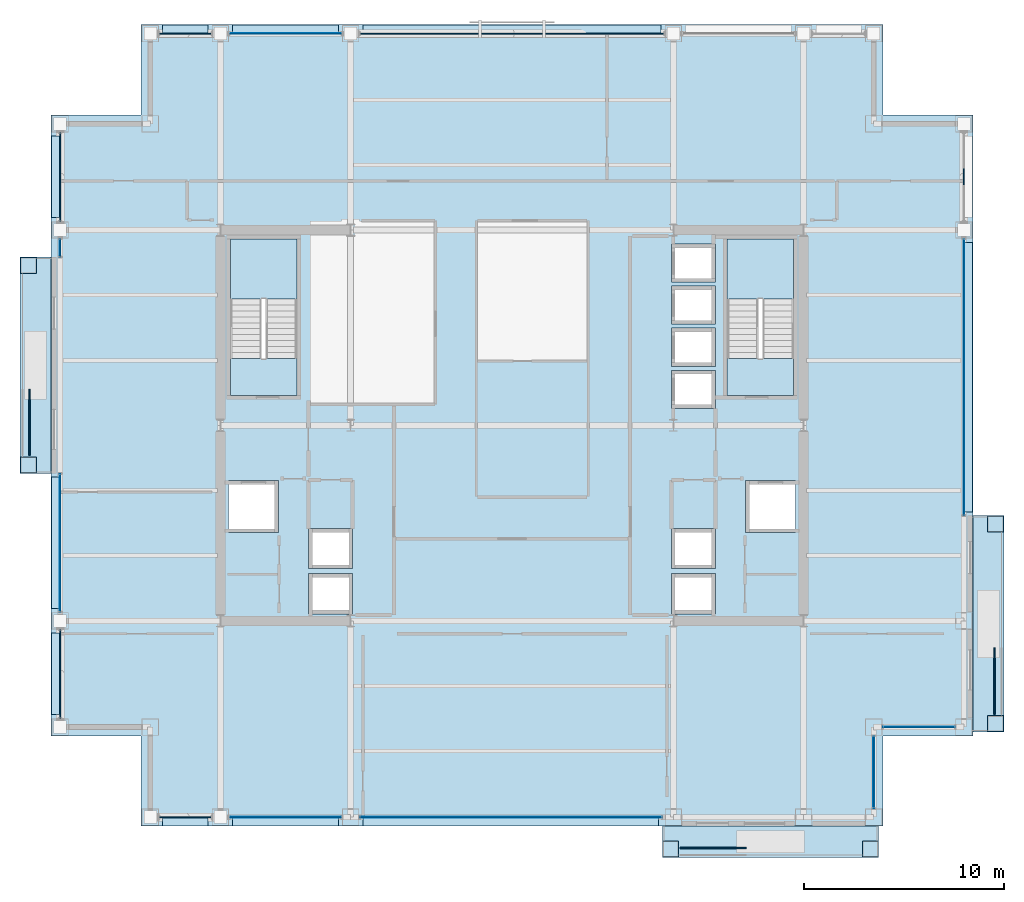
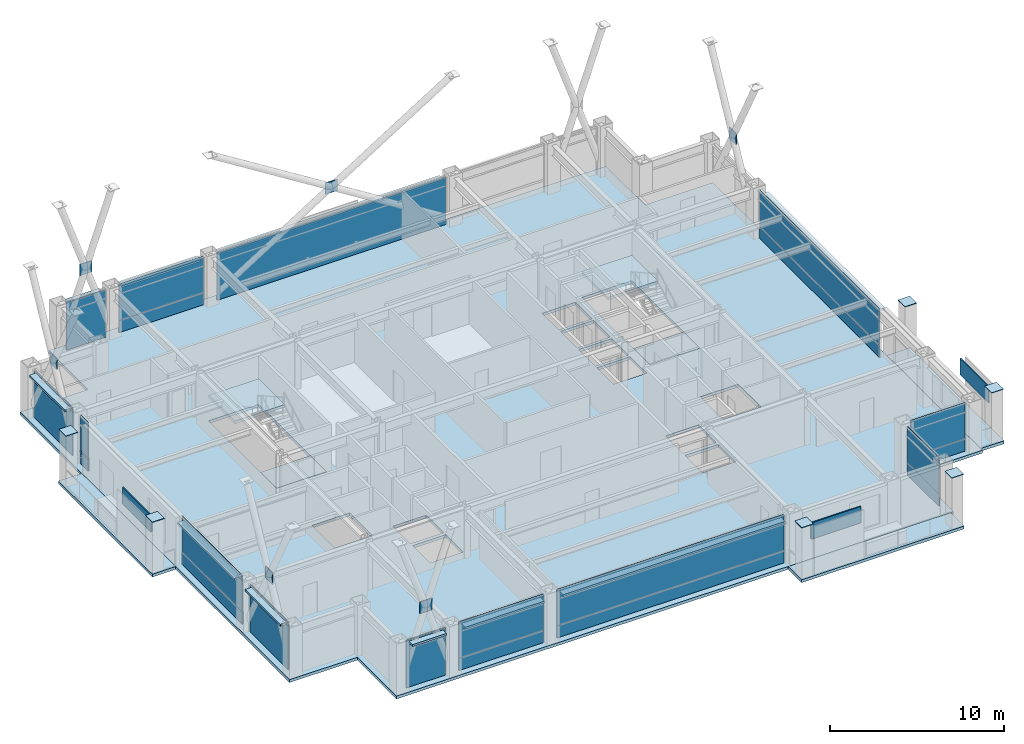
# One storey, part 27 of 34: 46 plates, 8 slabs, 1 member, 15 elements without a shape of their own.
"""IFC4 building model written with IfcOpenShell, lengths in metres."""

from ifc_helpers import new_model, si_unit, direction, frame, origin, origin_2d, place, context, subcontext, project, spatial, polyline, rectangle, hollow_rectangle, outline, extrude, material, layer, layer_set, material_profile, profile_set, type_object, element, aggregate, save


model = new_model("IFC4")

# Units and contexts
model_context = context("Model", 3, precision=1e-05, world=origin(), true_north=direction((0.0, 1.0)))
body_context = subcontext(model_context, "Body", "Model", "MODEL_VIEW")
ifc_project = project(units=[si_unit("LENGTHUNIT", "METRE"), si_unit("AREAUNIT", "SQUARE_METRE"), si_unit("VOLUMEUNIT", "CUBIC_METRE"), si_unit("PLANEANGLEUNIT", "RADIAN"), si_unit("MASSUNIT", "GRAM", prefix="KILO")], contexts=[model_context])

# Site, building, storey
site_placement = place(None, origin())
site = spatial("IfcSite", under=ifc_project, at=site_placement, CompositionType="ELEMENT")
building_placement = place(site_placement, origin())
building = spatial("IfcBuilding", under=site, at=building_placement, Name="Brelmoor Portico Tower", CompositionType="ELEMENT")
storey_placement = place(building_placement, frame((0.0, 0.0, 99.0)))
storey = spatial("IfcBuildingStorey", under=building, at=storey_placement, Name="L25", CompositionType="ELEMENT", Elevation=99.0)

# Curtain wall, member
ifc_material_1 = material(Name="Anodised Aluminium Alloy 6063-T6", Category="aluminium")
ifc_layer_1 = layer(ifc_material_1, 0.179931640625)
ifc_layer_set_1 = layer_set([ifc_layer_1], Name="Anodised Aluminium Alloy 6063-T6")
curtain_wall_type_1 = type_object("IfcCurtainWallType", Name="CW-TOWER-Z2", PredefinedType="NOTDEFINED", material=ifc_layer_set_1)
curtain_wall_1_placement = place(storey_placement, origin())
curtain_wall_1 = element("IfcCurtainWall", 1, at=curtain_wall_1_placement, inside=storey, type_object=curtain_wall_type_1, Name="L25 Curtain Wall CW-L25-3R-1", PredefinedType="NOTDEFINED")
ifc_material_profile = material_profile(ifc_material_1, hollow_rectangle(XDim=0.06494140625, YDim=0.139892578125, WallThickness=0.00390625, at=origin_2d()), Name="ALU TRANSOM 65x140")
ifc_profile_set = profile_set([ifc_material_profile], Name="Anodised Aluminium Alloy 6063-T6")
member_type = type_object("IfcMemberType", Name="MB-CW-TRAN-140", PredefinedType="USERDEFINED", material=ifc_profile_set)
member_placement = place(storey_placement, frame((-22.550048828125, 8.39990234375, 0.85009765625), z_axis=(0.0, 1.0, 0.0), x_axis=(-1.0, 0.0, 0.0)))
member = element("IfcMember", 2, at=member_placement, type_object=member_type, Name="CW-L25-3R-1 Transom 1-00", ObjectType="TRANSOM", PredefinedType="USERDEFINED", context=body_context, shape_type="SweptSolid", body=[
    extrude(hollow_rectangle(XDim=0.06494140625, YDim=0.139892578125, WallThickness=0.00390625, at=origin_2d()), origin(), (0.0, 0.0, 1.0), 0.9150390625),
])

# Plates
ifc_material_2 = material(Name="Steel Q355B", Category="steel")
ifc_layer_2 = layer(ifc_material_2, 0.044921875)
ifc_layer_set_2 = layer_set([ifc_layer_2], Name="Steel Q355B")
plate_type_1 = type_object("IfcPlateType", Name="PT-CAP-650", PredefinedType="SHEET", material=ifc_layer_set_2)
for number, where, z_axis, x_axis, name in (
    (3, (7.919921875, -21.1298828125, 3.60009765625), (0.0, 0.0, 1.0), (1.0, 0.0, 0.0), "L25 Proud Picture-Frame Pier PFJ-S1 Welded Head Cap Plate"),
    (4, (17.8798828125, -21.1298828125, 3.60009765625), (0.0, 0.0, 1.0), (1.0, 0.0, 0.0), "L25 Proud Picture-Frame Pier PFJ-S2 Welded Head Cap Plate"),
    (5, (24.1298828125, -14.8798828125, 3.60009765625), (0.0, 0.0, 1.0), (0.0, 1.0, 0.0), "L25 Proud Picture-Frame Pier PFJ-E1 Welded Head Cap Plate"),
    (6, (24.1298828125, -4.919921875, 3.60009765625), (0.0, 0.0, 1.0), (0.0, 1.0, 0.0), "L25 Proud Picture-Frame Pier PFJ-E2 Welded Head Cap Plate"),
    (7, (-24.1298828125, -1.97998046875, 3.60009765625), (0.0, 0.0, 1.0), (0.0, 1.0, 0.0), "L25 Proud Picture-Frame Pier PFJ-W1 Welded Head Cap Plate"),
    (8, (-24.1298828125, 7.97998046875, 3.60009765625), (0.0, 0.0, 1.0), (0.0, 1.0, 0.0), "L25 Proud Picture-Frame Pier PFJ-W2 Welded Head Cap Plate"),
):
    element("IfcPlate", number, at=place(storey_placement, frame(where, z_axis=z_axis, x_axis=x_axis)), inside=storey, type_object=plate_type_1, Name=name, PredefinedType="SHEET", context=body_context, shape_type="SweptSolid", body=[
        extrude(rectangle(XDim=0.7900390625, YDim=0.7900390625, at=origin_2d()), origin(), (0.0, 0.0, 1.0), 0.0400390625),
    ])

# Curtain wall, plate
curtain_wall_2_placement = place(storey_placement, origin())
curtain_wall_2 = element("IfcCurtainWall", 9, at=curtain_wall_2_placement, inside=storey, type_object=curtain_wall_type_1, Name="L25 Curtain Wall CW-L25-1L-2", PredefinedType="NOTDEFINED")
ifc_material_3 = material(Name="Double-Silver Low-E Insulated Glazing", Category="glass")
ifc_layer_3 = layer(ifc_material_3, 0.035888671875)
ifc_layer_set_3 = layer_set([ifc_layer_3], Name="Double-Silver Low-E Insulated Glazing")
plate_type_2 = type_object("IfcPlateType", Name="PT-CW-GLASS", PredefinedType="CURTAIN_PANEL", material=ifc_layer_set_3)
plate_1_placement = place(storey_placement, frame((-11.300048828125, -19.550048828125, 0.85009765625), z_axis=(0.0, 0.0, 1.0), x_axis=(1.0, 0.0, 0.0)))
plate_1 = element("IfcPlate", 10, at=plate_1_placement, type_object=plate_type_2, Name="CW-L25-1L-2 Vision Glass Panel 00", PredefinedType="CURTAIN_PANEL", context=body_context, shape_type="SweptSolid", body=[
    extrude(rectangle(XDim=5.60009765625, YDim=0.035888671875, at=origin_2d()), origin(), (0.0, 0.0, 1.0), 2.550048828125),
])

curtain_wall_3_placement = place(storey_placement, origin())
curtain_wall_3 = element("IfcCurtainWall", 11, at=curtain_wall_3_placement, inside=storey, type_object=curtain_wall_type_1, Name="L25 Curtain Wall CW-L25-1L-3", PredefinedType="NOTDEFINED")
plate_2_placement = place(storey_placement, frame((-0.0576171875, -19.550048828125, 0.85009765625), z_axis=(0.0, 0.0, 1.0), x_axis=(1.0, 0.0, 0.0)))
plate_2 = element("IfcPlate", 12, at=plate_2_placement, type_object=plate_type_2, Name="CW-L25-1L-3 Vision Glass Panel 00", PredefinedType="CURTAIN_PANEL", context=body_context, shape_type="SweptSolid", body=[
    extrude(rectangle(XDim=15.0849609375, YDim=0.035888671875, at=origin_2d()), origin(), (0.0, 0.0, 1.0), 2.550048828125),
])

curtain_wall_4_placement = place(storey_placement, origin())
curtain_wall_4 = element("IfcCurtainWall", 13, at=curtain_wall_4_placement, inside=storey, type_object=curtain_wall_type_1, Name="L25 Curtain Wall CW-L25-02-2", PredefinedType="NOTDEFINED")
plate_3_placement = place(storey_placement, frame((-11.300048828125, 19.550048828125, 0.85009765625), z_axis=(0.0, 0.0, 1.0), x_axis=(1.0, 0.0, 0.0)))
plate_3 = element("IfcPlate", 14, at=plate_3_placement, type_object=plate_type_2, Name="CW-L25-02-2 Vision Glass Panel 00", PredefinedType="CURTAIN_PANEL", context=body_context, shape_type="SweptSolid", body=[
    extrude(rectangle(XDim=5.60009765625, YDim=0.035888671875, at=origin_2d()), origin(), (0.0, 0.0, 1.0), 2.550048828125),
])

curtain_wall_5_placement = place(storey_placement, origin())
curtain_wall_5 = element("IfcCurtainWall", 15, at=curtain_wall_5_placement, inside=storey, type_object=curtain_wall_type_1, Name="L25 Curtain Wall CW-L25-3L-2", PredefinedType="NOTDEFINED")
plate_4_placement = place(storey_placement, frame((-22.550048828125, -5.857421875, 0.85009765625), z_axis=(0.0, 0.0, 1.0), x_axis=(0.0, 1.0, 0.0)))
plate_4 = element("IfcPlate", 16, at=plate_4_placement, type_object=plate_type_2, Name="CW-L25-3L-2 Vision Glass Panel 00", PredefinedType="CURTAIN_PANEL", context=body_context, shape_type="SweptSolid", body=[
    extrude(rectangle(XDim=6.885009765625, YDim=0.035888671875, at=origin_2d()), origin(), (0.0, 0.0, 1.0), 2.550048828125),
])

# Plate
plate_5_placement = place(storey_placement, frame((-22.550048828125, 8.857421875, 0.85009765625), z_axis=(0.0, 0.0, 1.0), x_axis=(0.0, 1.0, 0.0)))
plate_5 = element("IfcPlate", 17, at=plate_5_placement, type_object=plate_type_2, Name="CW-L25-3R-1 Vision Glass Panel 00", PredefinedType="CURTAIN_PANEL", context=body_context, shape_type="SweptSolid", body=[
    extrude(rectangle(XDim=0.885009765625, YDim=0.035888671875, at=origin_2d()), origin(), (0.0, 0.0, 1.0), 2.550048828125),
])

# Curtain wall, plate
curtain_wall_6_placement = place(storey_placement, origin())
curtain_wall_6 = element("IfcCurtainWall", 18, at=curtain_wall_6_placement, inside=storey, type_object=curtain_wall_type_1, Name="L25 Curtain Wall CW-L25-4R-1", PredefinedType="NOTDEFINED")
plate_6_placement = place(storey_placement, frame((22.550048828125, 2.407470703125, 0.85009765625), z_axis=(0.0, 0.0, 1.0), x_axis=(0.0, 1.0, 0.0)))
plate_6 = element("IfcPlate", 19, at=plate_6_placement, type_object=plate_type_2, Name="CW-L25-4R-1 Vision Glass Panel 00", PredefinedType="CURTAIN_PANEL", context=body_context, shape_type="SweptSolid", body=[
    extrude(rectangle(XDim=13.784912109375, YDim=0.035888671875, at=origin_2d()), origin(), (0.0, 0.0, 1.0), 2.550048828125),
])

ifc_layer_4 = layer(ifc_material_1, 0.179931640625)
ifc_layer_set_4 = layer_set([ifc_layer_4], Name="Anodised Aluminium Alloy 6063-T6")
curtain_wall_type_2 = type_object("IfcCurtainWallType", Name="CW-NOTCH-CHAMFER", PredefinedType="NOTDEFINED", material=ifc_layer_set_4)
curtain_wall_7_placement = place(storey_placement, origin())
curtain_wall_7 = element("IfcCurtainWall", 20, at=curtain_wall_7_placement, inside=storey, type_object=curtain_wall_type_2, Name="L25 Curtain Wall CWN-L25-SEH", PredefinedType="NOTDEFINED")
plate_7_placement = place(storey_placement, frame((20.300048828125, -15.050048828125, 0.85009765625), z_axis=(0.0, 0.0, 1.0), x_axis=(1.0, 0.0, 0.0)))
plate_7 = element("IfcPlate", 21, at=plate_7_placement, type_object=plate_type_2, Name="CWN-L25-SEH Vision Glass Panel 00", PredefinedType="CURTAIN_PANEL", context=body_context, shape_type="SweptSolid", body=[
    extrude(rectangle(XDim=3.60009765625, YDim=0.035888671875, at=origin_2d()), origin(), (0.0, 0.0, 1.0), 2.550048828125),
])

curtain_wall_8_placement = place(storey_placement, origin())
curtain_wall_8 = element("IfcCurtainWall", 22, at=curtain_wall_8_placement, inside=storey, type_object=curtain_wall_type_2, Name="L25 Curtain Wall CWN-L25-SEV", PredefinedType="NOTDEFINED")
plate_8_placement = place(storey_placement, frame((18.050048828125, -17.300048828125, 0.85009765625), z_axis=(0.0, 0.0, 1.0), x_axis=(0.0, 1.0, 0.0)))
plate_8 = element("IfcPlate", 23, at=plate_8_placement, type_object=plate_type_2, Name="CWN-L25-SEV Vision Glass Panel 00", PredefinedType="CURTAIN_PANEL", context=body_context, shape_type="SweptSolid", body=[
    extrude(rectangle(XDim=3.60009765625, YDim=0.035888671875, at=origin_2d()), origin(), (0.0, 0.0, 1.0), 2.550048828125),
])

ifc_layer_5 = layer(ifc_material_1, 0.179931640625)
ifc_layer_set_5 = layer_set([ifc_layer_5], Name="Anodised Aluminium Alloy 6063-T6")
curtain_wall_type_3 = type_object("IfcCurtainWallType", Name="CW-TOWER-Z2-XB", PredefinedType="NOTDEFINED", material=ifc_layer_set_5)
curtain_wall_9_placement = place(storey_placement, origin())
curtain_wall_9 = element("IfcCurtainWall", 24, at=curtain_wall_9_placement, inside=storey, type_object=curtain_wall_type_3, Name="L25 Curtain Wall CW-L25-1L-1", PredefinedType="NOTDEFINED")
ifc_material_4 = material(Name="Pale Champagne Anodised Aluminium Panel", Category="aluminium")
ifc_layer_6 = layer(ifc_material_4, 0.050048828125)
ifc_layer_set_6 = layer_set([ifc_layer_6], Name="Pale Champagne Anodised Aluminium Panel")
plate_type_3 = type_object("IfcPlateType", Name="PT-CW-SPANDREL", PredefinedType="SHEET", material=ifc_layer_set_6)
plate_9_placement = place(storey_placement, frame((-16.300048828125, -19.550048828125, 0.0), z_axis=(0.0, 0.0, 1.0), x_axis=(1.0, 0.0, 0.0)))
plate_9 = element("IfcPlate", 25, at=plate_9_placement, type_object=plate_type_3, Name="CW-L25-1L-1 Spandrel Panel 00", PredefinedType="SHEET", context=body_context, shape_type="SweptSolid", body=[
    extrude(rectangle(XDim=2.60009765625, YDim=0.050048828125, at=origin_2d()), origin(), (0.0, 0.0, 1.0), 3.330078125),
])
aggregate(curtain_wall_9, [plate_9])

# Plate
plate_10_placement = place(storey_placement, frame((-11.300048828125, -19.550048828125, 0.0), z_axis=(0.0, 0.0, 1.0), x_axis=(1.0, 0.0, 0.0)))
plate_10 = element("IfcPlate", 26, at=plate_10_placement, type_object=plate_type_3, Name="CW-L25-1L-2 Spandrel Panel 00", PredefinedType="SHEET", context=body_context, shape_type="SweptSolid", body=[
    extrude(rectangle(XDim=5.60009765625, YDim=0.050048828125, at=origin_2d()), origin(), (0.0, 0.0, 1.0), 0.85009765625),
])

aggregate(curtain_wall_2, [plate_10, plate_1])

plate_11_placement = place(storey_placement, frame((-0.0576171875, -19.550048828125, 0.0), z_axis=(0.0, 0.0, 1.0), x_axis=(1.0, 0.0, 0.0)))
plate_11 = element("IfcPlate", 27, at=plate_11_placement, type_object=plate_type_3, Name="CW-L25-1L-3 Spandrel Panel 00", PredefinedType="SHEET", context=body_context, shape_type="SweptSolid", body=[
    extrude(rectangle(XDim=15.0849609375, YDim=0.050048828125, at=origin_2d()), origin(), (0.0, 0.0, 1.0), 0.85009765625),
])

aggregate(curtain_wall_3, [plate_11, plate_2])

# Curtain wall, plate
curtain_wall_10_placement = place(storey_placement, origin())
curtain_wall_10 = element("IfcCurtainWall", 28, at=curtain_wall_10_placement, inside=storey, type_object=curtain_wall_type_3, Name="L25 Curtain Wall CW-L25-02-1", PredefinedType="NOTDEFINED")
plate_12_placement = place(storey_placement, frame((-16.300048828125, 19.550048828125, 0.0), z_axis=(0.0, 0.0, 1.0), x_axis=(1.0, 0.0, 0.0)))
plate_12 = element("IfcPlate", 29, at=plate_12_placement, type_object=plate_type_3, Name="CW-L25-02-1 Spandrel Panel 00", PredefinedType="SHEET", context=body_context, shape_type="SweptSolid", body=[
    extrude(rectangle(XDim=2.60009765625, YDim=0.050048828125, at=origin_2d()), origin(), (0.0, 0.0, 1.0), 3.330078125),
])
aggregate(curtain_wall_10, [plate_12])

# Plate
plate_13_placement = place(storey_placement, frame((-11.300048828125, 19.550048828125, 0.0), z_axis=(0.0, 0.0, 1.0), x_axis=(1.0, 0.0, 0.0)))
plate_13 = element("IfcPlate", 30, at=plate_13_placement, type_object=plate_type_3, Name="CW-L25-02-2 Spandrel Panel 00", PredefinedType="SHEET", context=body_context, shape_type="SweptSolid", body=[
    extrude(rectangle(XDim=5.60009765625, YDim=0.050048828125, at=origin_2d()), origin(), (0.0, 0.0, 1.0), 0.85009765625),
])

aggregate(curtain_wall_4, [plate_13, plate_3])

# Curtain wall, plate
curtain_wall_11_placement = place(storey_placement, origin())
curtain_wall_11 = element("IfcCurtainWall", 31, at=curtain_wall_11_placement, inside=storey, type_object=curtain_wall_type_3, Name="L25 Curtain Wall CW-L25-02-3", PredefinedType="NOTDEFINED")
plate_14_placement = place(storey_placement, frame((0.0, 19.550048828125, 0.0), z_axis=(0.0, 0.0, 1.0), x_axis=(1.0, 0.0, 0.0)))
plate_14 = element("IfcPlate", 32, at=plate_14_placement, type_object=plate_type_3, Name="CW-L25-02-3 Spandrel Panel 00", PredefinedType="SHEET", context=body_context, shape_type="SweptSolid", body=[
    extrude(rectangle(XDim=15.199951171875, YDim=0.050048828125, at=origin_2d()), origin(), (0.0, 0.0, 1.0), 3.330078125),
])
aggregate(curtain_wall_11, [plate_14])

curtain_wall_12_placement = place(storey_placement, origin())
curtain_wall_12 = element("IfcCurtainWall", 33, at=curtain_wall_12_placement, inside=storey, type_object=curtain_wall_type_3, Name="L25 Curtain Wall CW-L25-3L-1", PredefinedType="NOTDEFINED")
plate_15_placement = place(storey_placement, frame((-22.550048828125, -12.39990234375, 0.0), z_axis=(0.0, 0.0, 1.0), x_axis=(0.0, 1.0, 0.0)))
plate_15 = element("IfcPlate", 34, at=plate_15_placement, type_object=plate_type_3, Name="CW-L25-3L-1 Spandrel Panel 00", PredefinedType="SHEET", context=body_context, shape_type="SweptSolid", body=[
    extrude(rectangle(XDim=4.39990234375, YDim=0.050048828125, at=origin_2d()), origin(), (0.0, 0.0, 1.0), 3.330078125),
])
aggregate(curtain_wall_12, [plate_15])

# Plate
plate_16_placement = place(storey_placement, frame((-22.550048828125, -5.857421875, 0.0), z_axis=(0.0, 0.0, 1.0), x_axis=(0.0, 1.0, 0.0)))
plate_16 = element("IfcPlate", 35, at=plate_16_placement, type_object=plate_type_3, Name="CW-L25-3L-2 Spandrel Panel 00", PredefinedType="SHEET", context=body_context, shape_type="SweptSolid", body=[
    extrude(rectangle(XDim=6.885009765625, YDim=0.050048828125, at=origin_2d()), origin(), (0.0, 0.0, 1.0), 0.85009765625),
])

aggregate(curtain_wall_5, [plate_16, plate_4])

plate_17_placement = place(storey_placement, frame((-22.550048828125, 8.857421875, 0.0), z_axis=(0.0, 0.0, 1.0), x_axis=(0.0, 1.0, 0.0)))
plate_17 = element("IfcPlate", 36, at=plate_17_placement, type_object=plate_type_3, Name="CW-L25-3R-1 Spandrel Panel 00", PredefinedType="SHEET", context=body_context, shape_type="SweptSolid", body=[
    extrude(rectangle(XDim=0.885009765625, YDim=0.050048828125, at=origin_2d()), origin(), (0.0, 0.0, 1.0), 0.85009765625),
])

aggregate(curtain_wall_1, [member, plate_17, plate_5])

# Curtain wall, plate
curtain_wall_13_placement = place(storey_placement, origin())
curtain_wall_13 = element("IfcCurtainWall", 37, at=curtain_wall_13_placement, inside=storey, type_object=curtain_wall_type_3, Name="L25 Curtain Wall CW-L25-3R-2", PredefinedType="NOTDEFINED")
plate_18_placement = place(storey_placement, frame((-22.550048828125, 12.39990234375, 0.0), z_axis=(0.0, 0.0, 1.0), x_axis=(0.0, 1.0, 0.0)))
plate_18 = element("IfcPlate", 38, at=plate_18_placement, type_object=plate_type_3, Name="CW-L25-3R-2 Spandrel Panel 00", PredefinedType="SHEET", context=body_context, shape_type="SweptSolid", body=[
    extrude(rectangle(XDim=4.39990234375, YDim=0.050048828125, at=origin_2d()), origin(), (0.0, 0.0, 1.0), 3.330078125),
])
aggregate(curtain_wall_13, [plate_18])

# Plate
plate_19_placement = place(storey_placement, frame((22.550048828125, 2.407470703125, 0.0), z_axis=(0.0, 0.0, 1.0), x_axis=(0.0, 1.0, 0.0)))
plate_19 = element("IfcPlate", 39, at=plate_19_placement, type_object=plate_type_3, Name="CW-L25-4R-1 Spandrel Panel 00", PredefinedType="SHEET", context=body_context, shape_type="SweptSolid", body=[
    extrude(rectangle(XDim=13.784912109375, YDim=0.050048828125, at=origin_2d()), origin(), (0.0, 0.0, 1.0), 0.85009765625),
])

aggregate(curtain_wall_6, [plate_19, plate_6])

plate_20_placement = place(storey_placement, frame((20.300048828125, -15.050048828125, 0.0), z_axis=(0.0, 0.0, 1.0), x_axis=(1.0, 0.0, 0.0)))
plate_20 = element("IfcPlate", 40, at=plate_20_placement, type_object=plate_type_3, Name="CWN-L25-SEH Spandrel Panel 00", PredefinedType="SHEET", context=body_context, shape_type="SweptSolid", body=[
    extrude(rectangle(XDim=3.60009765625, YDim=0.050048828125, at=origin_2d()), origin(), (0.0, 0.0, 1.0), 0.85009765625),
])

aggregate(curtain_wall_7, [plate_20, plate_7])

plate_21_placement = place(storey_placement, frame((18.050048828125, -17.300048828125, 0.0), z_axis=(0.0, 0.0, 1.0), x_axis=(0.0, 1.0, 0.0)))
plate_21 = element("IfcPlate", 41, at=plate_21_placement, type_object=plate_type_3, Name="CWN-L25-SEV Spandrel Panel 00", PredefinedType="SHEET", context=body_context, shape_type="SweptSolid", body=[
    extrude(rectangle(XDim=3.60009765625, YDim=0.050048828125, at=origin_2d()), origin(), (0.0, 0.0, 1.0), 0.85009765625),
])

aggregate(curtain_wall_8, [plate_21, plate_8])

# Plates
ifc_layer_7 = layer(ifc_material_2, 0.050048828125)
ifc_layer_set_7 = layer_set([ifc_layer_7], Name="Steel Q355B")
plate_type_4 = type_object("IfcPlateType", Name="PT-GUSSET-800", PredefinedType="USERDEFINED", material=ifc_layer_set_7)
for number, where, z_axis, x_axis, name in (
    (42, (-16.300048828125, -19.550048828125, 4.89990234375), (0.0, 0.0, 1.0), (1.0, 0.0, 0.0), "L25 Perimeter Mega-Brace Gusset 050"),
    (43, (-16.300048828125, 19.550048828125, 4.89990234375), (0.0, 0.0, 1.0), (1.0, 0.0, 0.0), "L25 Perimeter Mega-Brace Gusset 051"),
    (44, (0.0, 19.550048828125, 4.89990234375), (0.0, 0.0, 1.0), (1.0, 0.0, 0.0), "L25 Perimeter Mega-Brace Gusset 052"),
):
    element("IfcPlate", number, at=place(storey_placement, frame(where, z_axis=z_axis, x_axis=x_axis)), inside=storey, type_object=plate_type_4, Name=name, ObjectType="GUSSET PLATE", PredefinedType="USERDEFINED", context=body_context, shape_type="SweptSolid", body=[
        extrude(rectangle(XDim=0.800048828125, YDim=0.050048828125, at=origin_2d()), origin(), (0.0, 0.0, 1.0), 0.800048828125),
    ])
for number, where, z_axis, x_axis, name in (
    (45, (-22.550048828125, -12.39990234375, 4.89990234375), (0.0, 0.0, 1.0), (1.0, 0.0, 0.0), "L25 Perimeter Mega-Brace Gusset 054"),
    (46, (-22.550048828125, 12.39990234375, 4.89990234375), (0.0, 0.0, 1.0), (1.0, 0.0, 0.0), "L25 Perimeter Mega-Brace Gusset 055"),
    (47, (22.550048828125, 12.39990234375, 4.89990234375), (0.0, 0.0, 1.0), (1.0, 0.0, 0.0), "L25 Perimeter Mega-Brace Gusset 056"),
):
    element("IfcPlate", number, at=place(storey_placement, frame(where, z_axis=z_axis, x_axis=x_axis)), inside=storey, type_object=plate_type_4, Name=name, ObjectType="GUSSET PLATE", PredefinedType="USERDEFINED", context=body_context, shape_type="SweptSolid", body=[
        extrude(rectangle(XDim=0.050048828125, YDim=0.800048828125, at=origin_2d()), origin(), (0.0, 0.0, 1.0), 0.800048828125),
    ])
ifc_material_5 = material(Name="Powder-Coated Aluminium Shuttered Jalousie Louvre", Category="aluminium")
ifc_layer_8 = layer(ifc_material_5, 0.06005859375)
ifc_layer_set_8 = layer_set([ifc_layer_8], Name="Powder-Coated Aluminium Shuttered Jalousie Louvre")
plate_type_5 = type_object("IfcPlateType", Name="PT-JALOUSIE-SHUTTER", PredefinedType="SHEET", material=ifc_layer_set_8)
for number, where, z_axis, x_axis, name in (
    (48, (10.050048828125, -21.080078125, 2.275146484375), (0.0, 0.0, 1.0), (1.0, 0.0, 0.0), "L25 Shuttered Veranda Screen S"),
    (49, (-24.080078125, 0.14990234375, 2.275146484375), (0.0, 0.0, 1.0), (0.0, 1.0, 0.0), "L25 Shuttered Veranda Screen W"),
    (50, (24.080078125, -12.75, 2.275146484375), (0.0, 0.0, 1.0), (0.0, 1.0, 0.0), "L25 Shuttered Veranda Screen E"),
):
    element("IfcPlate", number, at=place(storey_placement, frame(where, z_axis=z_axis, x_axis=x_axis)), inside=storey, type_object=plate_type_5, Name=name, PredefinedType="SHEET", context=body_context, shape_type="SweptSolid", body=[
        extrude(rectangle(XDim=3.300048828125, YDim=0.080078125, at=origin_2d()), origin(), (0.0, 0.0, 1.0), 1.14990234375),
    ])
ifc_material_6 = material(Name="Pale Champagne Perforated Aluminium Solar Screen", Category="aluminium")
ifc_layer_9 = layer(ifc_material_6, 0.054931640625)
ifc_layer_set_9 = layer_set([ifc_layer_9], Name="Pale Champagne Perforated Aluminium Solar Screen")
plate_type_6 = type_object("IfcPlateType", Name="PT-SOLAR-LOUVRE", PredefinedType="SHEET", material=ifc_layer_set_9)
plate_22_placement = place(storey_placement, frame((-16.300048828125, -19.760009765625, 3.08984375), z_axis=(0.0, 0.0, 1.0), x_axis=(1.0, 0.0, 0.0)))
element("IfcPlate", 51, at=plate_22_placement, inside=storey, type_object=plate_type_6, Name="CW-L25-1L-1 Caribbean Brise-Soleil Solar Screen", PredefinedType="SHEET", context=body_context, shape_type="SweptSolid", body=[
    extrude(rectangle(XDim=2.27001953125, YDim=0.4599609375, at=origin_2d()), origin(), (0.0, 0.0, 1.0), 0.139892578125),
])
plate_23_placement = place(storey_placement, frame((-11.300048828125, -19.760009765625, 3.08984375), z_axis=(0.0, 0.0, 1.0), x_axis=(1.0, 0.0, 0.0)))
element("IfcPlate", 52, at=plate_23_placement, inside=storey, type_object=plate_type_6, Name="CW-L25-1L-2 Caribbean Brise-Soleil Solar Screen", PredefinedType="SHEET", context=body_context, shape_type="SweptSolid", body=[
    extrude(rectangle(XDim=5.27001953125, YDim=0.4599609375, at=origin_2d()), origin(), (0.0, 0.0, 1.0), 0.139892578125),
])
plate_24_placement = place(storey_placement, frame((-0.0576171875, -19.760009765625, 3.08984375), z_axis=(0.0, 0.0, 1.0), x_axis=(1.0, 0.0, 0.0)))
element("IfcPlate", 53, at=plate_24_placement, inside=storey, type_object=plate_type_6, Name="CW-L25-1L-3 Caribbean Brise-Soleil Solar Screen", PredefinedType="SHEET", context=body_context, shape_type="SweptSolid", body=[
    extrude(rectangle(XDim=14.7548828125, YDim=0.4599609375, at=origin_2d()), origin(), (0.0, 0.0, 1.0), 0.139892578125),
])
plate_25_placement = place(storey_placement, frame((-16.300048828125, 19.760009765625, 3.08984375), z_axis=(0.0, 0.0, 1.0), x_axis=(1.0, 0.0, 0.0)))
element("IfcPlate", 54, at=plate_25_placement, inside=storey, type_object=plate_type_6, Name="CW-L25-02-1 Caribbean Brise-Soleil Solar Screen", PredefinedType="SHEET", context=body_context, shape_type="SweptSolid", body=[
    extrude(rectangle(XDim=2.27001953125, YDim=0.4599609375, at=origin_2d()), origin(), (0.0, 0.0, 1.0), 0.139892578125),
])
plate_26_placement = place(storey_placement, frame((-11.300048828125, 19.760009765625, 3.08984375), z_axis=(0.0, 0.0, 1.0), x_axis=(1.0, 0.0, 0.0)))
element("IfcPlate", 55, at=plate_26_placement, inside=storey, type_object=plate_type_6, Name="CW-L25-02-2 Caribbean Brise-Soleil Solar Screen", PredefinedType="SHEET", context=body_context, shape_type="SweptSolid", body=[
    extrude(rectangle(XDim=5.27001953125, YDim=0.4599609375, at=origin_2d()), origin(), (0.0, 0.0, 1.0), 0.139892578125),
])
plate_27_placement = place(storey_placement, frame((0.0, 19.760009765625, 3.08984375), z_axis=(0.0, 0.0, 1.0), x_axis=(1.0, 0.0, 0.0)))
element("IfcPlate", 56, at=plate_27_placement, inside=storey, type_object=plate_type_6, Name="CW-L25-02-3 Caribbean Brise-Soleil Solar Screen", PredefinedType="SHEET", context=body_context, shape_type="SweptSolid", body=[
    extrude(rectangle(XDim=14.8701171875, YDim=0.4599609375, at=origin_2d()), origin(), (0.0, 0.0, 1.0), 0.139892578125),
])
plate_28_placement = place(storey_placement, frame((-22.760009765625, -12.39990234375, 3.08984375), z_axis=(0.0, 0.0, 1.0), x_axis=(0.0, 1.0, 0.0)))
element("IfcPlate", 57, at=plate_28_placement, inside=storey, type_object=plate_type_6, Name="CW-L25-3L-1 Caribbean Brise-Soleil Solar Screen", PredefinedType="SHEET", context=body_context, shape_type="SweptSolid", body=[
    extrude(rectangle(XDim=4.070068359375, YDim=0.4599609375, at=origin_2d()), origin(), (0.0, 0.0, 1.0), 0.139892578125),
])
plate_29_placement = place(storey_placement, frame((-22.760009765625, -5.857421875, 3.08984375), z_axis=(0.0, 0.0, 1.0), x_axis=(0.0, 1.0, 0.0)))
element("IfcPlate", 58, at=plate_29_placement, inside=storey, type_object=plate_type_6, Name="CW-L25-3L-2 Caribbean Brise-Soleil Solar Screen", PredefinedType="SHEET", context=body_context, shape_type="SweptSolid", body=[
    extrude(rectangle(XDim=6.554931640625, YDim=0.4599609375, at=origin_2d()), origin(), (0.0, 0.0, 1.0), 0.139892578125),
])
plate_30_placement = place(storey_placement, frame((-22.760009765625, 12.39990234375, 3.08984375), z_axis=(0.0, 0.0, 1.0), x_axis=(0.0, 1.0, 0.0)))
element("IfcPlate", 59, at=plate_30_placement, inside=storey, type_object=plate_type_6, Name="CW-L25-3R-2 Caribbean Brise-Soleil Solar Screen", PredefinedType="SHEET", context=body_context, shape_type="SweptSolid", body=[
    extrude(rectangle(XDim=4.070068359375, YDim=0.4599609375, at=origin_2d()), origin(), (0.0, 0.0, 1.0), 0.139892578125),
])
plate_31_placement = place(storey_placement, frame((22.760009765625, 2.407470703125, 3.08984375), z_axis=(0.0, 0.0, 1.0), x_axis=(0.0, 1.0, 0.0)))
element("IfcPlate", 60, at=plate_31_placement, inside=storey, type_object=plate_type_6, Name="CW-L25-4R-1 Caribbean Brise-Soleil Solar Screen", PredefinedType="SHEET", context=body_context, shape_type="SweptSolid", body=[
    extrude(rectangle(XDim=13.455078125, YDim=0.4599609375, at=origin_2d()), origin(), (0.0, 0.0, 1.0), 0.139892578125),
])

# Slabs
ifc_material_7 = material(Name="Concrete C40", Category="concrete")
ifc_layer_10 = layer(ifc_material_7, 0.199951171875)
ifc_layer_set_10 = layer_set([ifc_layer_10], Name="Concrete C40")
slab_type_1 = type_object("IfcSlabType", Name="SL-BALCONY-200", PredefinedType="FLOOR", material=ifc_layer_set_10)
slab_1_placement = place(storey_placement, frame((0.0, 0.0, -0.199951171875)))
element("IfcSlab", 61, at=slab_1_placement, inside=storey, type_object=slab_type_1, Name="L25 Loggia Tree Balcony Slab S", PredefinedType="FLOOR", context=body_context, shape_type="SweptSolid", body=[
    extrude(outline(polyline([(7.5, -21.550048828125), (18.300048828125, -21.550048828125), (18.300048828125, -20.0), (7.5, -20.0), (7.5, -21.550048828125)])), origin(), (0.0, 0.0, 1.0), 0.199951171875),
])
slab_2_placement = place(storey_placement, frame((0.0, 0.0, -0.199951171875)))
element("IfcSlab", 62, at=slab_2_placement, inside=storey, type_object=slab_type_1, Name="L25 Loggia Tree Balcony Slab E", PredefinedType="FLOOR", context=body_context, shape_type="SweptSolid", body=[
    extrude(outline(polyline([(23.0, -15.300048828125), (24.550048828125, -15.300048828125), (24.550048828125, -4.5), (23.0, -4.5), (23.0, -15.300048828125)])), origin(), (0.0, 0.0, 1.0), 0.199951171875),
])
slab_3_placement = place(storey_placement, frame((0.0, 0.0, -0.199951171875)))
element("IfcSlab", 63, at=slab_3_placement, inside=storey, type_object=slab_type_1, Name="L25 Loggia Tree Balcony Slab W", PredefinedType="FLOOR", context=body_context, shape_type="SweptSolid", body=[
    extrude(outline(polyline([(-24.550048828125, -2.39990234375), (-23.0, -2.39990234375), (-23.0, 8.39990234375), (-24.550048828125, 8.39990234375), (-24.550048828125, -2.39990234375)])), origin(), (0.0, 0.0, 1.0), 0.199951171875),
])
ifc_layer_11 = layer(ifc_material_7, 0.199951171875)
ifc_layer_set_11 = layer_set([ifc_layer_11], Name="Concrete C40")
slab_type_2 = type_object("IfcSlabType", Name="SL-FLOOR-200", PredefinedType="FLOOR", material=ifc_layer_set_11)
slab_4_placement = place(storey_placement, frame((0.0, 0.0, -0.199951171875)))
element("IfcSlab", 64, at=slab_4_placement, inside=storey, type_object=slab_type_2, Name="L25 Main Structural Floor Slab", PredefinedType="FLOOR", context=body_context, shape_type="SweptSolid", body=[
    extrude(outline(polyline([(-18.5, -20.0), (18.5, -20.0), (18.5, -15.5), (23.0, -15.5), (23.0, 15.5), (18.5, 15.5), (18.5, 20.0), (-18.5, 20.0), (-18.5, 15.5), (-23.0, 15.5), (-23.0, -15.5), (-18.5, -15.5), (-18.5, -20.0)]), holes=[polyline([(-10.72998046875, 1.5), (-10.72998046875, 9.300048828125), (-14.050048828125, 9.300048828125), (-14.050048828125, 1.5), (-10.72998046875, 1.5)]), polyline([(14.050048828125, 1.5), (14.050048828125, 9.300048828125), (10.72998046875, 9.300048828125), (10.72998046875, 1.5), (14.050048828125, 1.5)]), polyline([(7.949951171875, 0.85009765625), (10.14990234375, 0.85009765625), (10.14990234375, 2.75), (7.949951171875, 2.75), (7.949951171875, 0.85009765625)]), polyline([(7.949951171875, 2.949951171875), (10.14990234375, 2.949951171875), (10.14990234375, 4.85009765625), (7.949951171875, 4.85009765625), (7.949951171875, 2.949951171875)]), polyline([(7.949951171875, 5.050048828125), (10.14990234375, 5.050048828125), (10.14990234375, 6.949951171875), (7.949951171875, 6.949951171875), (7.949951171875, 5.050048828125)]), polyline([(7.949951171875, 7.14990234375), (10.14990234375, 7.14990234375), (10.14990234375, 9.050048828125), (7.949951171875, 9.050048828125), (7.949951171875, 7.14990234375)]), polyline([(-10.14990234375, -9.39990234375), (-7.949951171875, -9.39990234375), (-7.949951171875, -7.39990234375), (-10.14990234375, -7.39990234375), (-10.14990234375, -9.39990234375)]), polyline([(-10.14990234375, -7.14990234375), (-7.949951171875, -7.14990234375), (-7.949951171875, -5.14990234375), (-10.14990234375, -5.14990234375), (-10.14990234375, -7.14990234375)]), polyline([(7.949951171875, -9.39990234375), (10.14990234375, -9.39990234375), (10.14990234375, -7.39990234375), (7.949951171875, -7.39990234375), (7.949951171875, -9.39990234375)]), polyline([(7.949951171875, -7.14990234375), (10.14990234375, -7.14990234375), (10.14990234375, -5.14990234375), (7.949951171875, -5.14990234375), (7.949951171875, -7.14990234375)]), polyline([(-14.14990234375, -5.35009765625), (-11.64990234375, -5.35009765625), (-11.64990234375, -2.75), (-14.14990234375, -2.75), (-14.14990234375, -5.35009765625)]), polyline([(11.64990234375, -5.35009765625), (14.14990234375, -5.35009765625), (14.14990234375, -2.75), (11.64990234375, -2.75), (11.64990234375, -5.35009765625)])]), origin(), (0.0, 0.0, 1.0), 0.199951171875),
])

# Stair, slab
stair_type_1 = type_object("IfcStairType", Name="ST-CORE-W", PredefinedType="HALF_TURN_STAIR", material=ifc_material_7)
stair_1_placement = place(storey_placement, origin())
stair_1 = element("IfcStair", 65, at=stair_1_placement, inside=storey, type_object=stair_type_1, Name="L25 Protected Core Exit Stair ST-W", PredefinedType="HALF_TURN_STAIR")
ifc_layer_12 = layer(ifc_material_7, 0.179931640625)
ifc_layer_set_12 = layer_set([ifc_layer_12], Name="Concrete C40")
slab_type_3 = type_object("IfcSlabType", Name="SL-LANDING-180", PredefinedType="LANDING", material=ifc_layer_set_12)
slab_5_placement = place(storey_placement, frame((0.0, 0.0, 1.60009765625)))
slab_5 = element("IfcSlab", 66, at=slab_5_placement, type_object=slab_type_3, Name="ST-W landing 1", PredefinedType="LANDING", context=body_context, shape_type="SweptSolid", body=[
    extrude(outline(polyline([(-10.72998046875, 6.300048828125), (-10.72998046875, 9.300048828125), (-14.050048828125, 9.300048828125), (-14.050048828125, 6.300048828125), (-10.72998046875, 6.300048828125)])), origin(), (0.0, 0.0, 1.0), 0.199951171875),
])
aggregate(stair_1, [slab_5])

stair_type_2 = type_object("IfcStairType", Name="ST-CORE-E", PredefinedType="HALF_TURN_STAIR", material=ifc_material_7)
stair_2_placement = place(storey_placement, origin())
stair_2 = element("IfcStair", 67, at=stair_2_placement, inside=storey, type_object=stair_type_2, Name="L25 Protected Core Exit Stair ST-E", PredefinedType="HALF_TURN_STAIR")
slab_6_placement = place(storey_placement, frame((0.0, 0.0, 1.60009765625)))
slab_6 = element("IfcSlab", 68, at=slab_6_placement, type_object=slab_type_3, Name="ST-E landing 1", PredefinedType="LANDING", context=body_context, shape_type="SweptSolid", body=[
    extrude(outline(polyline([(14.050048828125, 6.300048828125), (14.050048828125, 9.300048828125), (10.72998046875, 9.300048828125), (10.72998046875, 6.300048828125), (14.050048828125, 6.300048828125)])), origin(), (0.0, 0.0, 1.0), 0.199951171875),
])
aggregate(stair_2, [slab_6])

# Slabs
ifc_layer_13 = layer(ifc_material_7, 0.199951171875)
ifc_layer_set_13 = layer_set([ifc_layer_13], Name="Concrete C40")
slab_type_4 = type_object("IfcSlabType", Name="SL-STAIR-FL200", PredefinedType="LANDING", material=ifc_layer_set_13)
slab_7_placement = place(storey_placement, frame((0.0, 0.0, -0.199951171875)))
element("IfcSlab", 69, at=slab_7_placement, inside=storey, type_object=slab_type_4, Name="L25 ST-W Structural Floor Landing Slab", PredefinedType="LANDING", context=body_context, shape_type="SweptSolid", body=[
    extrude(outline(polyline([(-10.72998046875, 1.5), (-10.72998046875, 3.35009765625), (-14.050048828125, 3.35009765625), (-14.050048828125, 1.5), (-10.72998046875, 1.5)])), origin(), (0.0, 0.0, 1.0), 0.199951171875),
])
slab_8_placement = place(storey_placement, frame((0.0, 0.0, -0.199951171875)))
element("IfcSlab", 70, at=slab_8_placement, inside=storey, type_object=slab_type_4, Name="L25 ST-E Structural Floor Landing Slab", PredefinedType="LANDING", context=body_context, shape_type="SweptSolid", body=[
    extrude(outline(polyline([(14.050048828125, 1.5), (14.050048828125, 3.35009765625), (10.72998046875, 3.35009765625), (10.72998046875, 1.5), (14.050048828125, 1.5)])), origin(), (0.0, 0.0, 1.0), 0.199951171875),
])

save(model, "model.ifc")
